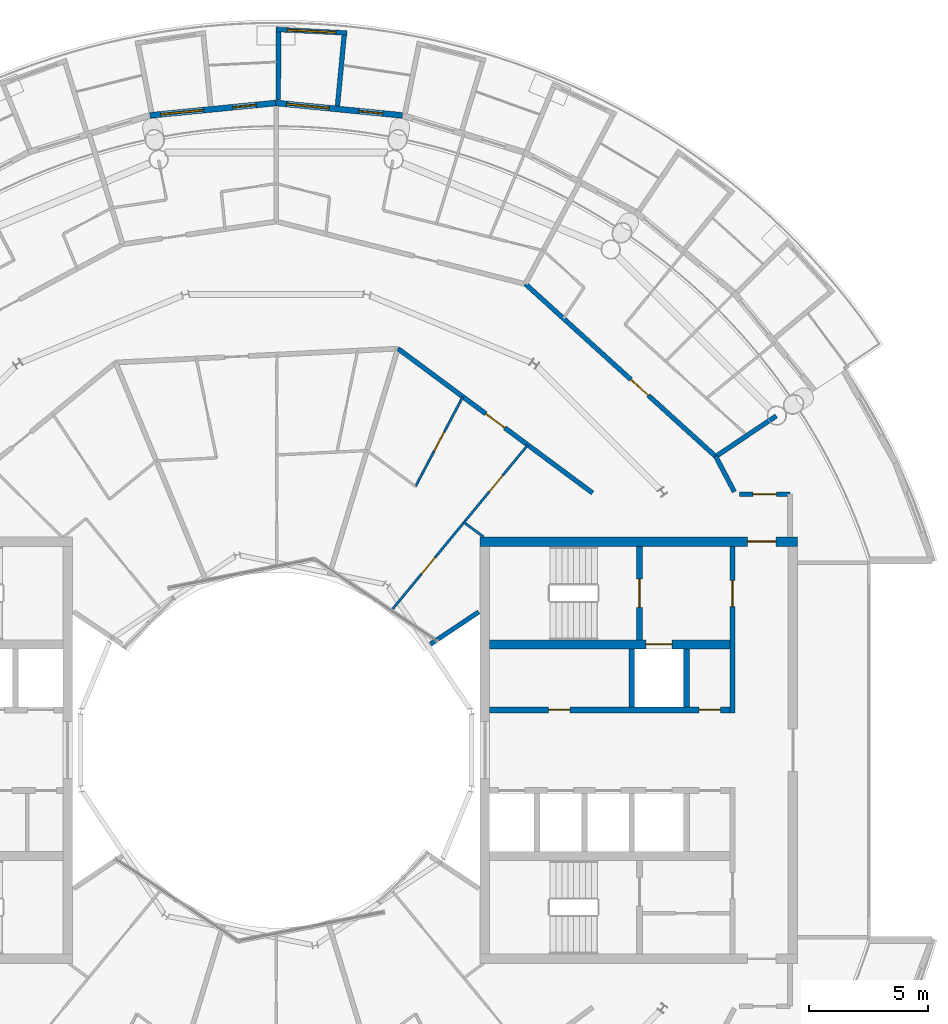
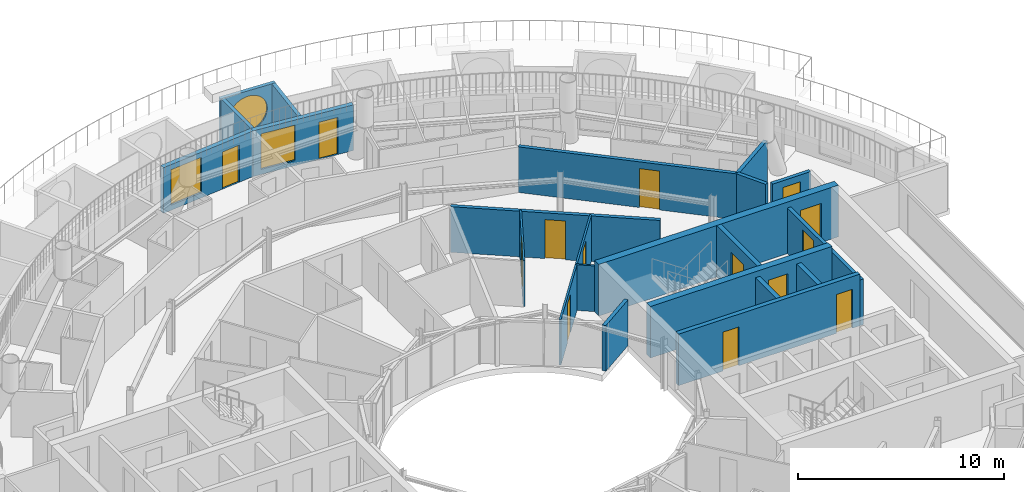
# One storey, part 22 of 29: 21 walls, 14 doors, 3 windows, 17 openings.
"""IFC4 building model written with IfcOpenShell, lengths in metres."""

from ifc_helpers import new_model, si_unit, direction, frame, frame_2d, origin, place, context, subcontext, project, spatial, rectangle, circle, extrude, material, layer, layer_set, type_object, element, fill, save


model = new_model("IFC4")

# Units and contexts
model_context = context("Model", 3, precision=1e-05, world=origin(), true_north=direction((0.0, 1.0)))
body_context = subcontext(model_context, "Body", "Model", "MODEL_VIEW")
ifc_project = project(units=[si_unit("LENGTHUNIT", "METRE"), si_unit("AREAUNIT", "SQUARE_METRE"), si_unit("VOLUMEUNIT", "CUBIC_METRE"), si_unit("PLANEANGLEUNIT", "RADIAN"), si_unit("MASSUNIT", "GRAM", prefix="KILO")], contexts=[model_context])

# Site, building, storey
site_placement = place(None, origin())
site = spatial("IfcSite", under=ifc_project, at=site_placement, CompositionType="ELEMENT")
building_placement = place(site_placement, origin())
building = spatial("IfcBuilding", under=site, at=building_placement, Name="Maasbend Ring Residences", CompositionType="ELEMENT")
storey_placement = place(building_placement, frame((0.0, 0.0, 234.050048828125)))
storey = spatial("IfcBuildingStorey", under=building, at=storey_placement, Name="L67", CompositionType="ELEMENT", Elevation=234.050048828125)

# Wall, openings, doors
ifc_material_1 = material(Name="Concrete C50/60", Category="concrete")
ifc_layer_1 = layer(ifc_material_1, 0.25)
ifc_layer_set_1 = layer_set([ifc_layer_1], Name="Concrete C50/60")
wall_type_1 = type_object("IfcWallType", Name="CORE WALL 250 C50/60", PredefinedType="SHEAR", material=ifc_layer_set_1)
wall_1_placement = place(storey_placement, frame((9.0, 1.699951171875, 0.0), z_axis=(0.0, 0.0, 1.0), x_axis=(1.0, 0.0, 0.0)))
wall_1 = element("IfcWall", 1, at=wall_1_placement, inside=storey, type_object=wall_type_1, Name="L67 core E wall SPN", PredefinedType="SHEAR", context=body_context, shape_type="SweptSolid", body=[
    extrude(rectangle(XDim=10.14990234375, YDim=0.25, at=frame_2d((5.074951171875, 0.0))), origin(), (0.0, 0.0, 1.0), 3.050048828125),
])
opening_1_placement = place(wall_1_placement, frame((2.487548828125, 0.0, 0.0)))
opening_1 = element("IfcOpeningElement", 2, at=opening_1_placement, cuts=wall_1, Name="Opening D-E6706", PredefinedType="OPENING", context=body_context, shape_type="SweptSolid", body=[
    extrude(rectangle(XDim=0.89990234375, YDim=2.300048828125, at=frame_2d((0.449951171875, 1.14990234375))), frame((0.0, 0.135009765625, 0.0), z_axis=(0.0, -1.0, 0.0), x_axis=(1.0, 0.0, 0.0)), (0.0, 0.0, 1.0), 0.27001953125),
])
opening_2_placement = place(wall_1_placement, frame((8.83740234375, 0.0, 0.0)))
opening_2 = element("IfcOpeningElement", 3, at=opening_2_placement, cuts=wall_1, Name="Opening D-E6707", PredefinedType="OPENING", context=body_context, shape_type="SweptSolid", body=[
    extrude(rectangle(XDim=0.89990234375, YDim=2.300048828125, at=frame_2d((0.449951171875, 1.14990234375))), frame((0.0, 0.135009765625, 0.0), z_axis=(0.0, -1.0, 0.0), x_axis=(1.0, 0.0, 0.0)), (0.0, 0.0, 1.0), 0.27001953125),
])
ifc_material_2 = material(Name="Steel, powder coated", Category="steel")
door_type_1 = type_object("IfcDoorType", Name="ROOM DOOR 900 X 2300 FD30S", OperationType="NOTDEFINED", PredefinedType="DOOR", material=ifc_material_2)
door_1_placement = place(opening_1_placement, origin())
door_1 = element("IfcDoor", 4, at=door_1_placement, inside=storey, type_object=door_type_1, Name="Room door L67", OperationType="SINGLE_SWING_RIGHT", OverallHeight=2.300048828125, OverallWidth=0.89990234375, PredefinedType="DOOR", context=body_context, shape_type="SweptSolid", body=[
    extrude(rectangle(XDim=0.89990234375, YDim=2.300048828125, at=frame_2d((0.449951171875, 1.14990234375))), frame((0.0, 0.02490234375, 0.0), z_axis=(0.0, -1.0, 0.0), x_axis=(1.0, 0.0, 0.0)), (0.0, 0.0, 1.0), 0.050048828125),
])
fill(opening_1, door_1)
door_2_placement = place(opening_2_placement, origin())
door_2 = element("IfcDoor", 5, at=door_2_placement, inside=storey, type_object=door_type_1, Name="Room door L67", OperationType="SINGLE_SWING_LEFT", OverallHeight=2.300048828125, OverallWidth=0.89990234375, PredefinedType="DOOR", context=body_context, shape_type="SweptSolid", body=[
    extrude(rectangle(XDim=0.89990234375, YDim=2.300048828125, at=frame_2d((0.449951171875, 1.14990234375))), frame((0.0, 0.02490234375, 0.0), z_axis=(0.0, -1.0, 0.0), x_axis=(1.0, 0.0, 0.0)), (0.0, 0.0, 1.0), 0.050048828125),
])
fill(opening_2, door_2)

# Wall, opening, door
wall_2_placement = place(storey_placement, frame((15.324951171875, 4.64990234375, 0.0), z_axis=(0.0, 0.0, 1.0), x_axis=(0.0, 1.0, 0.0)))
wall_2 = element("IfcWall", 6, at=wall_2_placement, inside=storey, type_object=wall_type_1, Name="L67 core E wall STEN", PredefinedType="SHEAR", context=body_context, shape_type="SweptSolid", body=[
    extrude(rectangle(XDim=3.9501953125, YDim=0.25, at=frame_2d((1.97509765625, 0.0))), origin(), (0.0, 0.0, 1.0), 3.050048828125),
])
opening_3_placement = place(wall_2_placement, frame((1.375, 0.0, 0.0)))
opening_3 = element("IfcOpeningElement", 7, at=opening_3_placement, cuts=wall_2, Name="Opening D-E6710", PredefinedType="OPENING", context=body_context, shape_type="SweptSolid", body=[
    extrude(rectangle(XDim=1.199951171875, YDim=2.300048828125, at=frame_2d((0.60009765625, 1.14990234375))), frame((0.0, 0.135009765625, 0.0), z_axis=(0.0, -1.0, 0.0), x_axis=(1.0, 0.0, 0.0)), (0.0, 0.0, 1.0), 0.27001953125),
])
ifc_material_3 = material(Name="Steel, powder coated", Category="steel")
door_type_2 = type_object("IfcDoorType", Name="STAIR DOOR 1200 X 2300 FD60", OperationType="NOTDEFINED", PredefinedType="DOOR", material=ifc_material_3)
door_3_placement = place(opening_3_placement, origin())
door_3 = element("IfcDoor", 8, at=door_3_placement, inside=storey, type_object=door_type_2, Name="Stair door ST-E L67", OperationType="SINGLE_SWING_LEFT", OverallHeight=2.300048828125, OverallWidth=1.199951171875, PredefinedType="DOOR", context=body_context, shape_type="SweptSolid", body=[
    extrude(rectangle(XDim=1.199951171875, YDim=2.300048828125, at=frame_2d((0.60009765625, 1.14990234375))), frame((0.0, 0.02490234375, 0.0), z_axis=(0.0, -1.0, 0.0), x_axis=(1.0, 0.0, 0.0)), (0.0, 0.0, 1.0), 0.050048828125),
])
fill(opening_3, door_3)

ifc_material_4 = material(Name="Concrete C50/60", Category="concrete")
ifc_layer_2 = layer(ifc_material_4, 0.375)
ifc_layer_set_2 = layer_set([ifc_layer_2], Name="Concrete C50/60")
wall_type_2 = type_object("IfcWallType", Name="CORE WALL 375 C50/60", PredefinedType="SHEAR", material=ifc_layer_set_2)
wall_3_placement = place(storey_placement, frame((9.0, 4.46240234375, 0.0), z_axis=(0.0, 0.0, 1.0), x_axis=(1.0, 0.0, 0.0)))
wall_3 = element("IfcWall", 9, at=wall_3_placement, inside=storey, type_object=wall_type_2, Name="L67 core E wall BN", PredefinedType="SHEAR", context=body_context, shape_type="SweptSolid", body=[
    extrude(rectangle(XDim=10.14990234375, YDim=0.375, at=frame_2d((5.074951171875, 0.0))), origin(), (0.0, 0.0, 1.0), 3.050048828125),
])
opening_4_placement = place(wall_3_placement, frame((6.60009765625, 0.0, 0.0)))
opening_4 = element("IfcOpeningElement", 10, at=opening_4_placement, cuts=wall_3, Name="Opening LD-E6701", PredefinedType="OPENING", context=body_context, shape_type="SweptSolid", body=[
    extrude(rectangle(XDim=1.10009765625, YDim=2.300048828125, at=frame_2d((0.550048828125, 1.14990234375))), frame((0.0, 0.197509765625, 0.0), z_axis=(0.0, -1.0, 0.0), x_axis=(1.0, 0.0, 0.0)), (0.0, 0.0, 1.0), 0.39501953125),
])
ifc_material_5 = material(Name="Stainless steel 316", Category="steel")
door_type_3 = type_object("IfcDoorType", Name="LANDING DOOR 1100 X 2300 FD60", OperationType="DOUBLE_DOOR_SLIDING", PredefinedType="DOOR", material=ifc_material_5)
door_4_placement = place(opening_4_placement, origin())
door_4 = element("IfcDoor", 11, at=door_4_placement, inside=storey, type_object=door_type_3, Name="Landing door FF-E L67", OperationType="DOUBLE_DOOR_SLIDING", OverallHeight=2.300048828125, OverallWidth=1.10009765625, PredefinedType="DOOR", context=body_context, shape_type="SweptSolid", body=[
    extrude(rectangle(XDim=1.10009765625, YDim=2.300048828125, at=frame_2d((0.550048828125, 1.14990234375))), frame((0.0, 0.02490234375, 0.0), z_axis=(0.0, -1.0, 0.0), x_axis=(1.0, 0.0, 0.0)), (0.0, 0.0, 1.0), 0.050048828125),
])
fill(opening_4, door_4)

ifc_material_6 = material(Name="Concrete C50/60", Category="concrete")
ifc_layer_3 = layer(ifc_material_6, 0.39990234375)
ifc_layer_set_3 = layer_set([ifc_layer_3], Name="Concrete C50/60")
wall_type_3 = type_object("IfcWallType", Name="CORE WALL 400 C50/60", PredefinedType="SHEAR", material=ifc_layer_set_3)
wall_4_placement = place(storey_placement, frame((22.0, 8.800048828125, 0.0), z_axis=(0.0, 0.0, 1.0), x_axis=(-1.0, 0.0, 0.0)))
wall_4 = element("IfcWall", 12, at=wall_4_placement, inside=storey, type_object=wall_type_3, Name="L67 core E wall PN", PredefinedType="SHEAR", context=body_context, shape_type="SweptSolid", body=[
    extrude(rectangle(XDim=13.39990234375, YDim=0.39990234375, at=frame_2d((6.699951171875, 0.0))), origin(), (0.0, 0.0, 1.0), 3.050048828125),
])
opening_5_placement = place(wall_4_placement, frame((0.925048828125, 0.0, 0.0)))
opening_5 = element("IfcOpeningElement", 13, at=opening_5_placement, cuts=wall_4, Name="Opening D-E6714", PredefinedType="OPENING", context=body_context, shape_type="SweptSolid", body=[
    extrude(rectangle(XDim=1.199951171875, YDim=2.300048828125, at=frame_2d((0.60009765625, 1.14990234375))), frame((0.0, 0.2099609375, 0.0), z_axis=(0.0, -1.0, 0.0), x_axis=(1.0, 0.0, 0.0)), (0.0, 0.0, 1.0), 0.419921875),
])
ifc_material_7 = material(Name="Steel, powder coated", Category="steel")
door_type_4 = type_object("IfcDoorType", Name="CORRIDOR DOOR 1200 X 2300 FD30S", OperationType="NOTDEFINED", PredefinedType="DOOR", material=ifc_material_7)
door_5_placement = place(opening_5_placement, origin())
door_5 = element("IfcDoor", 14, at=door_5_placement, inside=storey, type_object=door_type_4, Name="Corridor door L67", OperationType="SINGLE_SWING_RIGHT", OverallHeight=2.300048828125, OverallWidth=1.199951171875, PredefinedType="DOOR", context=body_context, shape_type="SweptSolid", body=[
    extrude(rectangle(XDim=1.199951171875, YDim=2.300048828125, at=frame_2d((0.60009765625, 1.14990234375))), frame((0.0, 0.02490234375, 0.0), z_axis=(0.0, -1.0, 0.0), x_axis=(1.0, 0.0, 0.0)), (0.0, 0.0, 1.0), 0.050048828125),
])
fill(opening_5, door_5)

ifc_material_8 = material(Name="Concrete C30/37", Category="concrete")
ifc_layer_4 = layer(ifc_material_8, 0.199951171875)
ifc_layer_set_4 = layer_set([ifc_layer_4], Name="Concrete C30/37")
wall_type_4 = type_object("IfcWallType", Name="CORRIDOR WALL 200 CONCRETE", PredefinedType="PARTITIONING", material=ifc_layer_set_4)
wall_5_placement = place(storey_placement, frame((19.54296875, 10.800048828125, 0.0), z_axis=(0.0, 0.0, 1.0), x_axis=(1.0, 0.0, 0.0)))
wall_5 = element("IfcWall", 15, at=wall_5_placement, inside=storey, type_object=wall_type_4, Name="U-L67-w097", PredefinedType="PARTITIONING", context=body_context, shape_type="SweptSolid", body=[
    extrude(rectangle(XDim=2.132080078125, YDim=0.199951171875, at=frame_2d((1.06591796875, 0.0))), origin(), (0.0, 0.0, 1.0), 2.699951171875),
])
opening_6_placement = place(wall_5_placement, frame((0.56591796875, 0.0, 0.0)))
opening_6 = element("IfcOpeningElement", 16, at=opening_6_placement, cuts=wall_5, Name="Opening D-6769", PredefinedType="OPENING", context=body_context, shape_type="SweptSolid", body=[
    extrude(rectangle(XDim=1.0, YDim=2.300048828125, at=frame_2d((0.5, 1.14990234375))), frame((0.0, 0.10986328125, 0.0), z_axis=(0.0, -1.0, 0.0), x_axis=(1.0, 0.0, 0.0)), (0.0, 0.0, 1.0), 0.219970703125),
])
ifc_material_9 = material(Name="Timber, painted", Category="wood")
door_type_5 = type_object("IfcDoorType", Name="ROOM DOOR 1000 X 2300", OperationType="NOTDEFINED", PredefinedType="DOOR", material=ifc_material_9)
door_6_placement = place(opening_6_placement, origin())
door_6 = element("IfcDoor", 17, at=door_6_placement, inside=storey, type_object=door_type_5, Name="D-6769", OperationType="SINGLE_SWING_RIGHT", OverallHeight=2.300048828125, OverallWidth=1.0, PredefinedType="DOOR", context=body_context, shape_type="SweptSolid", body=[
    extrude(rectangle(XDim=1.0, YDim=2.300048828125, at=frame_2d((0.5, 1.14990234375))), frame((0.0, 0.02490234375, 0.0), z_axis=(0.0, -1.0, 0.0), x_axis=(1.0, 0.0, 0.0)), (0.0, 0.0, 1.0), 0.050048828125),
])
fill(opening_6, door_6)

wall_6_placement = place(storey_placement, frame((5.136962890625, 16.93798828125, 0.0), z_axis=(0.0, 0.0, 1.0), x_axis=(0.803229232922, -0.595670042371, 0.0)))
wall_6 = element("IfcWall", 18, at=wall_6_placement, inside=storey, type_object=wall_type_4, Name="U-L67-w105", PredefinedType="PARTITIONING", context=body_context, shape_type="SweptSolid", body=[
    extrude(rectangle(XDim=10.223876953125, YDim=0.199951171875, at=frame_2d((5.11181640625, 0.0))), origin(), (0.0, 0.0, 1.0), 2.699951171875),
])
opening_7_placement = place(wall_6_placement, frame((4.612060546875, 0.0, 0.0)))
opening_7 = element("IfcOpeningElement", 19, at=opening_7_placement, cuts=wall_6, Name="Opening D-6721", PredefinedType="OPENING", context=body_context, shape_type="SweptSolid", body=[
    extrude(rectangle(XDim=1.0, YDim=2.300048828125, at=frame_2d((0.5, 1.14990234375))), frame((0.0, 0.10986328125, 0.0), z_axis=(0.0, -1.0, 0.0), x_axis=(1.0, 0.0, 0.0)), (0.0, 0.0, 1.0), 0.219970703125),
])
ifc_material_10 = material(Name="Timber, fire-rated, painted", Category="wood")
door_type_6 = type_object("IfcDoorType", Name="FLAT ENTRANCE DOOR 1000 X 2300 FIRE-RATED", OperationType="NOTDEFINED", PredefinedType="DOOR", material=ifc_material_10)
door_7_placement = place(opening_7_placement, origin())
door_7 = element("IfcDoor", 20, at=door_7_placement, inside=storey, type_object=door_type_6, Name="D-6721", OperationType="SINGLE_SWING_RIGHT", OverallHeight=2.300048828125, OverallWidth=1.0, PredefinedType="DOOR", context=body_context, shape_type="SweptSolid", body=[
    extrude(rectangle(XDim=1.0, YDim=2.300048828125, at=frame_2d((0.5, 1.14990234375))), frame((0.0, 0.02490234375, 0.0), z_axis=(0.0, -1.0, 0.0), x_axis=(1.0, 0.0, 0.0)), (0.0, 0.0, 1.0), 0.050048828125),
])
fill(opening_7, door_7)

wall_7_placement = place(storey_placement, frame((10.511962890625, 19.6669921875, 0.0), z_axis=(0.0, 0.0, 1.0), x_axis=(0.740849323054, -0.67167125927, 0.0)))
wall_7 = element("IfcWall", 21, at=wall_7_placement, inside=storey, type_object=wall_type_4, Name="U-L67-w108", PredefinedType="PARTITIONING", context=body_context, shape_type="SweptSolid", body=[
    extrude(rectangle(XDim=10.841552734375, YDim=0.199951171875, at=frame_2d((5.4208984375, 0.0))), origin(), (0.0, 0.0, 1.0), 2.699951171875),
])
opening_8_placement = place(wall_7_placement, frame((6.0029296875, 0.0, 0.0)))
opening_8 = element("IfcOpeningElement", 22, at=opening_8_placement, cuts=wall_7, Name="Opening D-6701", PredefinedType="OPENING", context=body_context, shape_type="SweptSolid", body=[
    extrude(rectangle(XDim=1.0, YDim=2.300048828125, at=frame_2d((0.5, 1.14990234375))), frame((0.0, 0.10986328125, 0.0), z_axis=(0.0, -1.0, 0.0), x_axis=(1.0, 0.0, 0.0)), (0.0, 0.0, 1.0), 0.219970703125),
])
door_8_placement = place(opening_8_placement, origin())
door_8 = element("IfcDoor", 23, at=door_8_placement, inside=storey, type_object=door_type_6, Name="D-6701", OperationType="SINGLE_SWING_RIGHT", OverallHeight=2.300048828125, OverallWidth=1.0, PredefinedType="DOOR", context=body_context, shape_type="SweptSolid", body=[
    extrude(rectangle(XDim=1.0, YDim=2.300048828125, at=frame_2d((0.5, 1.14990234375))), frame((0.0, 0.02490234375, 0.0), z_axis=(0.0, -1.0, 0.0), x_axis=(1.0, 0.0, 0.0)), (0.0, 0.0, 1.0), 0.050048828125),
])
fill(opening_8, door_8)

# Wall
wall_8_placement = place(storey_placement, frame((18.5419921875, 12.388916015625, 0.0), z_axis=(0.0, 0.0, 1.0), x_axis=(0.465812036273, -0.88488369115, 0.0)))
element("IfcWall", 24, at=wall_8_placement, inside=storey, type_object=wall_type_4, Name="U-L67-w115", PredefinedType="PARTITIONING", context=body_context, shape_type="SweptSolid", body=[
    extrude(rectangle(XDim=1.687255859375, YDim=0.199951171875, at=frame_2d((0.84375, 0.0))), origin(), (0.0, 0.0, 1.0), 2.699951171875),
])

# Wall, opening, window
ifc_material_11 = material(Name="Pale anodised aluminium panel", Category="aluminium")
ifc_layer_5 = layer(ifc_material_11, 0.199951171875)
ifc_layer_set_5 = layer_set([ifc_layer_5], Name="EW-BOX")
wall_type_5 = type_object("IfcWallType", Name="EW-BOX", PredefinedType="SOLIDWALL", material=ifc_layer_set_5)
wall_9_placement = place(storey_placement, frame((2.985107421875, 30.2529296875, -0.030029296875), z_axis=(0.0, 0.0, 1.0), x_axis=(-0.998794083011, 0.049095618353, 0.0)))
wall_9 = element("IfcWall", 25, at=wall_9_placement, inside=storey, type_object=wall_type_5, Name="Box front N10", PredefinedType="SOLIDWALL", context=body_context, shape_type="SweptSolid", body=[
    extrude(rectangle(XDim=2.99365234375, YDim=0.199951171875, at=frame_2d((1.496826171875, 0.0))), origin(), (0.0, 0.0, 1.0), 2.72998046875),
])
opening_9_placement = place(wall_9_placement, frame((0.45654296875, 0.0, 0.330078125)))
opening_9 = element("IfcOpeningElement", 26, at=opening_9_placement, cuts=wall_9, Name="Opening W-RD", PredefinedType="OPENING", context=body_context, shape_type="SweptSolid", body=[
    extrude(circle(Radius=1.0400390625, at=frame_2d((1.0400390625, 1.0400390625))), frame((0.0, 0.10986328125, 0.0), z_axis=(0.0, -1.0, 0.0), x_axis=(1.0, 0.0, 0.0)), (0.0, 0.0, 1.0), 0.219970703125),
])
ifc_material_12 = material(Name="Aluminium and clear glass", Category="aluminium")
window_type_1 = type_object("IfcWindowType", Name="W-RD", PartitioningType="SINGLE_PANEL", PredefinedType="WINDOW", material=ifc_material_12)
window_1_placement = place(opening_9_placement, origin())
window_1 = element("IfcWindow", 27, at=window_1_placement, inside=storey, type_object=window_type_1, Name="Round window N10", OverallHeight=2.080078125, OverallWidth=2.080078125, PartitioningType="SINGLE_PANEL", PredefinedType="WINDOW", context=body_context, shape_type="SweptSolid", body=[
    extrude(circle(Radius=1.0400390625, at=frame_2d((1.0400390625, 1.0400390625))), frame((0.0, 0.030029296875, 0.0), z_axis=(0.0, -1.0, 0.0), x_axis=(1.0, 0.0, 0.0)), (0.0, 0.0, 1.0), 0.06005859375),
])
fill(opening_9, window_1)

# Walls
wall_10_placement = place(storey_placement, frame((2.5859375, 27.1708984375, -0.030029296875), z_axis=(0.0, 0.0, 1.0), x_axis=(0.094548432284, 0.995520262954, 0.0)))
element("IfcWall", 28, at=wall_10_placement, inside=storey, type_object=wall_type_5, Name="Box side wall N10 left", PredefinedType="SOLIDWALL", context=body_context, shape_type="SweptSolid", body=[
    extrude(rectangle(XDim=3.005615234375, YDim=0.199951171875, at=frame_2d((1.5029296875, 0.0))), origin(), (0.0, 0.0, 1.0), 2.72998046875),
])
wall_11_placement = place(storey_placement, frame((0.090087890625, 27.4169921875, -0.030029296875), z_axis=(0.0, 0.0, 1.0), x_axis=(0.00347308367, 0.999993968827, 0.0)))
element("IfcWall", 29, at=wall_11_placement, inside=storey, type_object=wall_type_5, Name="Box side wall N10 right", PredefinedType="SOLIDWALL", context=body_context, shape_type="SweptSolid", body=[
    extrude(rectangle(XDim=2.882080078125, YDim=0.199951171875, at=frame_2d((1.44091796875, 0.0))), origin(), (0.0, 0.0, 1.0), 2.72998046875),
])

# Wall, openings, door, window
ifc_material_13 = material(Name="Aluminium clad insulated panel", Category="aluminium")
ifc_layer_6 = layer(ifc_material_13, 0.25)
ifc_layer_set_6 = layer_set([ifc_layer_6], Name="EW-GL")
wall_type_6 = type_object("IfcWallType", Name="EW-GL", PredefinedType="SOLIDWALL", material=ifc_layer_set_6)
wall_12_placement = place(storey_placement, frame((5.325927734375, 26.77490234375, 0.0), z_axis=(0.0, 0.0, 1.0), x_axis=(-0.995173996315, 0.098126026407, 0.0)))
wall_12 = element("IfcWall", 30, at=wall_12_placement, inside=storey, type_object=wall_type_6, Name="External wall N05", PredefinedType="SOLIDWALL", context=body_context, shape_type="SweptSolid", body=[
    extrude(rectangle(XDim=5.351806640625, YDim=0.25, at=frame_2d((2.67578125, 0.0))), origin(), (0.0, 0.0, 1.0), 2.699951171875),
])
opening_10_placement = place(wall_12_placement, frame((0.841064453125, 0.0, 0.0)))
opening_10 = element("IfcOpeningElement", 31, at=opening_10_placement, cuts=wall_12, Name="Opening D-LG", PredefinedType="OPENING", context=body_context, shape_type="SweptSolid", body=[
    extrude(rectangle(XDim=1.0, YDim=2.199951171875, at=frame_2d((0.5, 1.10009765625))), frame((0.0, 0.135009765625, 0.0), z_axis=(0.0, -1.0, 0.0), x_axis=(1.0, 0.0, 0.0)), (0.0, 0.0, 1.0), 0.27001953125),
])
opening_11_placement = place(wall_12_placement, frame((3.110595703125, 0.0, 0.300048828125)))
opening_11 = element("IfcOpeningElement", 32, at=opening_11_placement, cuts=wall_12, Name="Opening W-BX", PredefinedType="OPENING", context=body_context, shape_type="SweptSolid", body=[
    extrude(rectangle(XDim=1.800048828125, YDim=2.10009765625, at=frame_2d((0.89990234375, 1.050048828125))), frame((0.0, 0.135009765625, 0.0), z_axis=(0.0, -1.0, 0.0), x_axis=(1.0, 0.0, 0.0)), (0.0, 0.0, 1.0), 0.27001953125),
])
ifc_material_14 = material(Name="Aluminium and clear glass", Category="aluminium")
door_type_7 = type_object("IfcDoorType", Name="D-LG", OperationType="SINGLE_SWING_LEFT", PredefinedType="DOOR", material=ifc_material_14)
door_9_placement = place(opening_10_placement, origin())
door_9 = element("IfcDoor", 33, at=door_9_placement, inside=storey, type_object=door_type_7, Name="Loggia door N09", OperationType="SINGLE_SWING_LEFT", OverallHeight=2.199951171875, OverallWidth=1.0, PredefinedType="DOOR", context=body_context, shape_type="SweptSolid", body=[
    extrude(rectangle(XDim=1.0, YDim=2.199951171875, at=frame_2d((0.5, 1.10009765625))), frame((0.0, 0.02490234375, 0.0), z_axis=(0.0, -1.0, 0.0), x_axis=(1.0, 0.0, 0.0)), (0.0, 0.0, 1.0), 0.050048828125),
])
fill(opening_10, door_9)
ifc_material_15 = material(Name="Aluminium and clear glass", Category="aluminium")
window_type_2 = type_object("IfcWindowType", Name="W-BX", PartitioningType="DOUBLE_PANEL_VERTICAL", PredefinedType="WINDOW", material=ifc_material_15)
window_2_placement = place(opening_11_placement, origin())
window_2 = element("IfcWindow", 34, at=window_2_placement, inside=storey, type_object=window_type_2, Name="Window N10 room to box", OverallHeight=2.10009765625, OverallWidth=1.800048828125, PartitioningType="SINGLE_PANEL", PredefinedType="WINDOW", context=body_context, shape_type="SweptSolid", body=[
    extrude(rectangle(XDim=1.800048828125, YDim=2.10009765625, at=frame_2d((0.89990234375, 1.050048828125))), frame((0.0, 0.030029296875, 0.0), z_axis=(0.0, -1.0, 0.0), x_axis=(1.0, 0.0, 0.0)), (0.0, 0.0, 1.0), 0.06005859375),
])
fill(opening_11, window_2)

wall_13_placement = place(storey_placement, frame((0.0, 27.300048828125, 0.0), z_axis=(0.0, 0.0, 1.0), x_axis=(-0.995173996315, -0.098126026407, 0.0)))
wall_13 = element("IfcWall", 35, at=wall_13_placement, inside=storey, type_object=wall_type_6, Name="External wall N06", PredefinedType="SOLIDWALL", context=body_context, shape_type="SweptSolid", body=[
    extrude(rectangle(XDim=5.351806640625, YDim=0.25, at=frame_2d((2.67578125, 0.0))), origin(), (0.0, 0.0, 1.0), 2.699951171875),
])
opening_12_placement = place(wall_13_placement, frame((0.841064453125, 0.0, 0.0)))
opening_12 = element("IfcOpeningElement", 36, at=opening_12_placement, cuts=wall_13, Name="Opening D-LG", PredefinedType="OPENING", context=body_context, shape_type="SweptSolid", body=[
    extrude(rectangle(XDim=1.0, YDim=2.199951171875, at=frame_2d((0.5, 1.10009765625))), frame((0.0, 0.135009765625, 0.0), z_axis=(0.0, -1.0, 0.0), x_axis=(1.0, 0.0, 0.0)), (0.0, 0.0, 1.0), 0.27001953125),
])
opening_13_placement = place(wall_13_placement, frame((3.095947265625, 0.0, 0.300048828125)))
opening_13 = element("IfcOpeningElement", 37, at=opening_13_placement, cuts=wall_13, Name="Opening W-BX", PredefinedType="OPENING", context=body_context, shape_type="SweptSolid", body=[
    extrude(rectangle(XDim=1.800048828125, YDim=2.10009765625, at=frame_2d((0.89990234375, 1.050048828125))), frame((0.0, 0.135009765625, 0.0), z_axis=(0.0, -1.0, 0.0), x_axis=(1.0, 0.0, 0.0)), (0.0, 0.0, 1.0), 0.27001953125),
])
door_10_placement = place(opening_12_placement, origin())
door_10 = element("IfcDoor", 38, at=door_10_placement, inside=storey, type_object=door_type_7, Name="Loggia door N11", OperationType="SINGLE_SWING_LEFT", OverallHeight=2.199951171875, OverallWidth=1.0, PredefinedType="DOOR", context=body_context, shape_type="SweptSolid", body=[
    extrude(rectangle(XDim=1.0, YDim=2.199951171875, at=frame_2d((0.5, 1.10009765625))), frame((0.0, 0.02490234375, 0.0), z_axis=(0.0, -1.0, 0.0), x_axis=(1.0, 0.0, 0.0)), (0.0, 0.0, 1.0), 0.050048828125),
])
fill(opening_12, door_10)
window_3_placement = place(opening_13_placement, origin())
window_3 = element("IfcWindow", 39, at=window_3_placement, inside=storey, type_object=window_type_2, Name="Window N12 room to box", OverallHeight=2.10009765625, OverallWidth=1.800048828125, PartitioningType="SINGLE_PANEL", PredefinedType="WINDOW", context=body_context, shape_type="SweptSolid", body=[
    extrude(rectangle(XDim=1.800048828125, YDim=2.10009765625, at=frame_2d((0.89990234375, 1.050048828125))), frame((0.0, 0.030029296875, 0.0), z_axis=(0.0, -1.0, 0.0), x_axis=(1.0, 0.0, 0.0)), (0.0, 0.0, 1.0), 0.06005859375),
])
fill(opening_13, window_3)

# Wall, openings, doors
ifc_material_16 = material(Name="Gypsum board on steel studs", Category="steel")
ifc_layer_7 = layer(ifc_material_16, 0.10009765625)
ifc_layer_set_7 = layer_set([ifc_layer_7], Name="PARTITION 100 GYPSUM")
wall_type_7 = type_object("IfcWallType", Name="PARTITION 100 GYPSUM", PredefinedType="PARTITIONING", material=ifc_layer_set_7)
wall_14_placement = place(storey_placement, frame((4.912109375, 5.955078125, 0.0), z_axis=(0.0, 0.0, 1.0), x_axis=(0.636045954217, 0.771651180342, 0.0)))
wall_14 = element("IfcWall", 40, at=wall_14_placement, inside=storey, type_object=wall_type_7, Name="U-L67-w077", PredefinedType="PARTITIONING", context=body_context, shape_type="SweptSolid", body=[
    extrude(rectangle(XDim=8.9677734375, YDim=0.10009765625, at=frame_2d((4.48388671875, 0.0))), origin(), (0.0, 0.0, 1.0), 2.699951171875),
])
opening_14_placement = place(wall_14_placement, frame((6.40087890625, 0.0, 0.0)))
opening_14 = element("IfcOpeningElement", 41, at=opening_14_placement, cuts=wall_14, Name="Opening D-6723", PredefinedType="OPENING", context=body_context, shape_type="SweptSolid", body=[
    extrude(rectangle(XDim=0.89990234375, YDim=2.300048828125, at=frame_2d((0.449951171875, 1.14990234375))), frame((0.0, 0.06005859375, 0.0), z_axis=(0.0, -1.0, 0.0), x_axis=(1.0, 0.0, 0.0)), (0.0, 0.0, 1.0), 0.1201171875),
])
opening_15_placement = place(wall_14_placement, frame((1.9169921875, 0.0, 0.0)))
opening_15 = element("IfcOpeningElement", 42, at=opening_15_placement, cuts=wall_14, Name="Opening D-6724", PredefinedType="OPENING", context=body_context, shape_type="SweptSolid", body=[
    extrude(rectangle(XDim=0.89990234375, YDim=2.300048828125, at=frame_2d((0.449951171875, 1.14990234375))), frame((0.0, 0.06005859375, 0.0), z_axis=(0.0, -1.0, 0.0), x_axis=(1.0, 0.0, 0.0)), (0.0, 0.0, 1.0), 0.1201171875),
])
ifc_material_17 = material(Name="Timber, painted", Category="wood")
door_type_8 = type_object("IfcDoorType", Name="INTERNAL DOOR 900 X 2300", OperationType="NOTDEFINED", PredefinedType="DOOR", material=ifc_material_17)
door_11_placement = place(opening_14_placement, origin())
door_11 = element("IfcDoor", 43, at=door_11_placement, inside=storey, type_object=door_type_8, Name="D-6723", OperationType="SINGLE_SWING_RIGHT", OverallHeight=2.300048828125, OverallWidth=0.89990234375, PredefinedType="DOOR", context=body_context, shape_type="SweptSolid", body=[
    extrude(rectangle(XDim=0.89990234375, YDim=2.300048828125, at=frame_2d((0.449951171875, 1.14990234375))), frame((0.0, 0.02490234375, 0.0), z_axis=(0.0, -1.0, 0.0), x_axis=(1.0, 0.0, 0.0)), (0.0, 0.0, 1.0), 0.050048828125),
])
fill(opening_14, door_11)
door_12_placement = place(opening_15_placement, origin())
door_12 = element("IfcDoor", 44, at=door_12_placement, inside=storey, type_object=door_type_8, Name="D-6724", OperationType="SINGLE_SWING_LEFT", OverallHeight=2.300048828125, OverallWidth=0.89990234375, PredefinedType="DOOR", context=body_context, shape_type="SweptSolid", body=[
    extrude(rectangle(XDim=0.89990234375, YDim=2.300048828125, at=frame_2d((0.449951171875, 1.14990234375))), frame((0.0, 0.02490234375, 0.0), z_axis=(0.0, -1.0, 0.0), x_axis=(1.0, 0.0, 0.0)), (0.0, 0.0, 1.0), 0.050048828125),
])
fill(opening_15, door_12)

# Wall, opening, door
wall_15_placement = place(storey_placement, frame((5.876953125, 11.125, 0.0), z_axis=(0.0, 0.0, 1.0), x_axis=(0.467030118529, 0.884241408432, 0.0)))
wall_15 = element("IfcWall", 45, at=wall_15_placement, inside=storey, type_object=wall_type_7, Name="U-L67-w079", PredefinedType="PARTITIONING", context=body_context, shape_type="SweptSolid", body=[
    extrude(rectangle(XDim=4.278076171875, YDim=0.10009765625, at=frame_2d((2.13916015625, 0.0))), origin(), (0.0, 0.0, 1.0), 2.699951171875),
])
opening_16_placement = place(wall_15_placement, frame((1.68896484375, 0.0, 0.0)))
opening_16 = element("IfcOpeningElement", 46, at=opening_16_placement, cuts=wall_15, Name="Opening D-6722", PredefinedType="OPENING", context=body_context, shape_type="SweptSolid", body=[
    extrude(rectangle(XDim=0.89990234375, YDim=2.300048828125, at=frame_2d((0.449951171875, 1.14990234375))), frame((0.0, 0.06005859375, 0.0), z_axis=(0.0, -1.0, 0.0), x_axis=(1.0, 0.0, 0.0)), (0.0, 0.0, 1.0), 0.1201171875),
])
door_13_placement = place(opening_16_placement, origin())
door_13 = element("IfcDoor", 47, at=door_13_placement, inside=storey, type_object=door_type_8, Name="D-6722", OperationType="SINGLE_SWING_RIGHT", OverallHeight=2.300048828125, OverallWidth=0.89990234375, PredefinedType="DOOR", context=body_context, shape_type="SweptSolid", body=[
    extrude(rectangle(XDim=0.89990234375, YDim=2.300048828125, at=frame_2d((0.449951171875, 1.14990234375))), frame((0.0, 0.02490234375, 0.0), z_axis=(0.0, -1.0, 0.0), x_axis=(1.0, 0.0, 0.0)), (0.0, 0.0, 1.0), 0.050048828125),
])
fill(opening_16, door_13)

# Walls
wall_16_placement = place(storey_placement, frame((7.9189453125, 9.611083984375, 0.0), z_axis=(0.0, 0.0, 1.0), x_axis=(0.80321556998, -0.595688465677, 0.0)))
element("IfcWall", 48, at=wall_16_placement, inside=storey, type_object=wall_type_7, Name="U-L67-w101", PredefinedType="PARTITIONING", context=body_context, shape_type="SweptSolid", body=[
    extrude(rectangle(XDim=1.02587890625, YDim=0.10009765625, at=frame_2d((0.512939453125, 0.0))), origin(), (0.0, 0.0, 1.0), 2.699951171875),
])
ifc_material_18 = material(Name="Concrete C30/37", Category="concrete")
ifc_layer_8 = layer(ifc_material_18, 0.199951171875)
ifc_layer_set_8 = layer_set([ifc_layer_8], Name="Concrete C30/37")
wall_type_8 = type_object("IfcWallType", Name="PARTY WALL 200 CONCRETE", PredefinedType="PARTITIONING", material=ifc_layer_set_8)
wall_17_placement = place(storey_placement, frame((18.5419921875, 12.388916015625, 0.0), z_axis=(0.0, 0.0, 1.0), x_axis=(0.831340764735, 0.555763018642, 0.0)))
element("IfcWall", 49, at=wall_17_placement, inside=storey, type_object=wall_type_8, Name="U-L67-w093", PredefinedType="PARTITIONING", context=body_context, shape_type="SweptSolid", body=[
    extrude(rectangle(XDim=3.0732421875, YDim=0.199951171875, at=frame_2d((1.53662109375, 0.0))), origin(), (0.0, 0.0, 1.0), 2.699951171875),
])
wall_18_placement = place(storey_placement, frame((6.512939453125, 4.471923828125, 0.0), z_axis=(0.0, 0.0, 1.0), x_axis=(0.831450132577, 0.555599385382, 0.0)))
element("IfcWall", 50, at=wall_18_placement, inside=storey, type_object=wall_type_8, Name="U-L67-w095", PredefinedType="PARTITIONING", context=body_context, shape_type="SweptSolid", body=[
    extrude(rectangle(XDim=2.442626953125, YDim=0.199951171875, at=frame_2d((1.22119140625, 0.0))), origin(), (0.0, 0.0, 1.0), 2.699951171875),
])

# Wall, opening, door
ifc_material_19 = material(Name="Concrete C30/37", Category="concrete")
ifc_layer_9 = layer(ifc_material_19, 0.199951171875)
ifc_layer_set_9 = layer_set([ifc_layer_9], Name="Concrete C30/37")
wall_type_9 = type_object("IfcWallType", Name="SHAFT WALL 200 EI 120", PredefinedType="SOLIDWALL", material=ifc_layer_set_9)
wall_19_placement = place(storey_placement, frame((19.25, 1.574951171875, 0.0), z_axis=(0.0, 0.0, 1.0), x_axis=(0.0, 1.0, 0.0)))
wall_19 = element("IfcWall", 51, at=wall_19_placement, inside=storey, type_object=wall_type_9, Name="L67 core E wall ENDN", PredefinedType="SOLIDWALL", context=body_context, shape_type="SweptSolid", body=[
    extrude(rectangle(XDim=7.025146484375, YDim=0.199951171875, at=frame_2d((3.5126953125, 0.0))), origin(), (0.0, 0.0, 1.0), 2.699951171875),
])
opening_17_placement = place(wall_19_placement, frame((4.47509765625, 0.0, 0.0)))
opening_17 = element("IfcOpeningElement", 52, at=opening_17_placement, cuts=wall_19, Name="Opening D-E6712", PredefinedType="OPENING", context=body_context, shape_type="SweptSolid", body=[
    extrude(rectangle(XDim=1.10009765625, YDim=2.300048828125, at=frame_2d((0.550048828125, 1.14990234375))), frame((0.0, 0.10986328125, 0.0), z_axis=(0.0, -1.0, 0.0), x_axis=(1.0, 0.0, 0.0)), (0.0, 0.0, 1.0), 0.219970703125),
])
ifc_material_20 = material(Name="Steel, powder coated", Category="steel")
door_type_9 = type_object("IfcDoorType", Name="LOBBY DOOR 1100 X 2300 FD60", OperationType="NOTDEFINED", PredefinedType="DOOR", material=ifc_material_20)
door_14_placement = place(opening_17_placement, origin())
door_14 = element("IfcDoor", 53, at=door_14_placement, inside=storey, type_object=door_type_9, Name="Lobby door L67", OperationType="SINGLE_SWING_LEFT", OverallHeight=2.300048828125, OverallWidth=1.10009765625, PredefinedType="DOOR", context=body_context, shape_type="SweptSolid", body=[
    extrude(rectangle(XDim=1.10009765625, YDim=2.300048828125, at=frame_2d((0.550048828125, 1.14990234375))), frame((0.0, 0.02490234375, 0.0), z_axis=(0.0, -1.0, 0.0), x_axis=(1.0, 0.0, 0.0)), (0.0, 0.0, 1.0), 0.050048828125),
])
fill(opening_17, door_14)

# Walls
ifc_material_21 = material(Name="Concrete C30/37", Category="concrete")
ifc_layer_10 = layer(ifc_material_21, 0.25)
ifc_layer_set_10 = layer_set([ifc_layer_10], Name="Concrete C30/37")
wall_type_10 = type_object("IfcWallType", Name="SHAFT WALL 250 EI 120", PredefinedType="SOLIDWALL", material=ifc_layer_set_10)
for number, where, z_axis, x_axis, name in (
    (54, (15.0, 1.824951171875, 0.0), (0.0, 0.0, 1.0), (0.0, 1.0, 0.0), "L67 core E wall D150N"),
    (55, (17.300048828125, 1.824951171875, 0.0), (0.0, 0.0, 1.0), (0.0, 1.0, 0.0), "L67 core E wall D173N"),
):
    element("IfcWall", number, at=place(storey_placement, frame(where, z_axis=z_axis, x_axis=x_axis)), inside=storey, type_object=wall_type_10, Name=name, PredefinedType="SOLIDWALL", context=body_context, shape_type="SweptSolid", body=[
        extrude(rectangle(XDim=2.449951171875, YDim=0.25, at=frame_2d((1.22509765625, 0.0))), origin(), (0.0, 0.0, 1.0), 2.699951171875),
    ])

save(model, "model.ifc")
